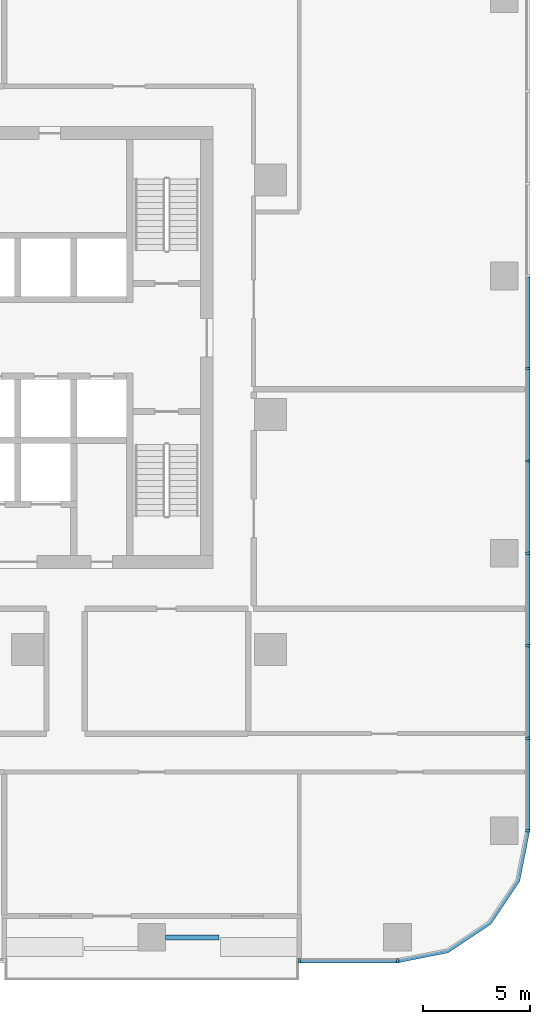
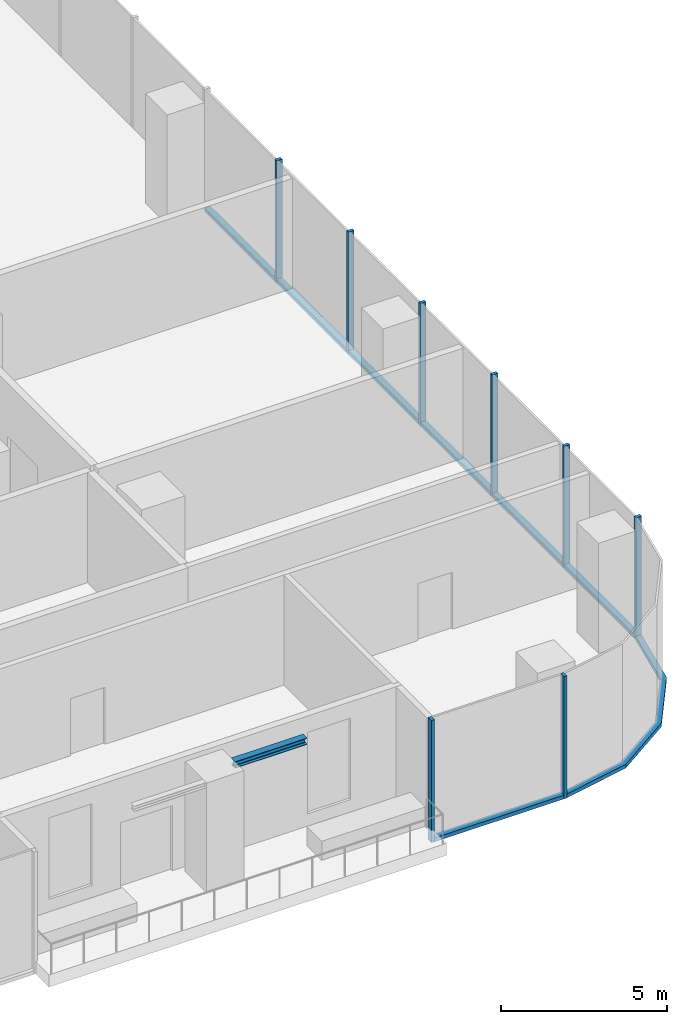
# One storey, part 3 of 15: 16 members, 1 beam, 3 elements without a shape of their own.
"""IFC4 building model written with IfcOpenShell, lengths in metres."""

from ifc_helpers import new_model, si_unit, direction, frame, origin, origin_2d, place, context, subcontext, project, spatial, polyline, rectangle, i_section, outline, extrude, material, material_profile, profile_set, type_object, element, aggregate, save


model = new_model("IFC4")

# Units and contexts
model_context = context("Model", 3, precision=1e-05, world=origin(), true_north=direction((0.0, 1.0)))
body_context = subcontext(model_context, "Body", "Model", "MODEL_VIEW")
ifc_project = project(units=[si_unit("LENGTHUNIT", "METRE"), si_unit("AREAUNIT", "SQUARE_METRE"), si_unit("VOLUMEUNIT", "CUBIC_METRE"), si_unit("PLANEANGLEUNIT", "RADIAN"), si_unit("MASSUNIT", "GRAM", prefix="KILO")], contexts=[model_context])

# Site, building, storey
site_placement = place(None, origin())
site = spatial("IfcSite", under=ifc_project, at=site_placement, CompositionType="ELEMENT")
building_placement = place(site_placement, origin())
building = spatial("IfcBuilding", under=site, at=building_placement, Name="Mopane Tessera Tower", CompositionType="ELEMENT")
storey_placement = place(building_placement, frame((0.0, 0.0, 112.60009765625)))
storey = spatial("IfcBuildingStorey", under=building, at=storey_placement, Name="L22", CompositionType="ELEMENT", Elevation=112.60009765625)

# Curtain wall, members
ifc_material_1 = material(Name="Aluminium frame", Category="aluminium")
curtain_wall_type = type_object("IfcCurtainWallType", Name="Lower tower unitised wall", PredefinedType="NOTDEFINED", material=ifc_material_1)
curtain_wall_1_placement = place(storey_placement, origin())
curtain_wall_1 = element("IfcCurtainWall", 1, at=curtain_wall_1_placement, inside=storey, type_object=curtain_wall_type, Name="e:cw:L22:S:9", PredefinedType="NOTDEFINED")
ifc_material_2 = material(Name="Aluminium frame", Category="aluminium")
ifc_material_profile_1 = material_profile(ifc_material_2, rectangle(XDim=0.110107421875, YDim=0.199951171875, at=origin_2d()))
ifc_profile_set_1 = profile_set([ifc_material_profile_1], Name="Aluminium frame")
member_type_1 = type_object("IfcMemberType", Name="Aluminium mullion 110 x 200", PredefinedType="MULLION", material=ifc_profile_set_1)
member_1_placement = place(storey_placement, frame((18.43994140625, -25.60009765625, -0.4501953125), z_axis=(0.0, 0.0, 1.0), x_axis=(1.0, 0.0, 0.0)))
member_1 = element("IfcMember", 2, at=member_1_placement, type_object=member_type_1, Name="e:cw:L22:S:9:mu9", PredefinedType="MULLION", context=body_context, shape_type="SweptSolid", body=[
    extrude(rectangle(XDim=0.110107421875, YDim=0.199951171875, at=origin_2d()), origin(), (0.0, 0.0, 1.0), 4.5),
])
member_2_placement = place(storey_placement, frame((23.050048828125, -25.60009765625, -0.4501953125), z_axis=(0.0, 0.0, 1.0), x_axis=(1.0, 0.0, 0.0)))
member_2 = element("IfcMember", 3, at=member_2_placement, type_object=member_type_1, Name="e:cw:L22:S:9:mu10", PredefinedType="MULLION", context=body_context, shape_type="SweptSolid", body=[
    extrude(rectangle(XDim=0.110107421875, YDim=0.199951171875, at=origin_2d()), origin(), (0.0, 0.0, 1.0), 4.5),
])

curtain_wall_2_placement = place(storey_placement, origin())
curtain_wall_2 = element("IfcCurtainWall", 4, at=curtain_wall_2_placement, inside=storey, type_object=curtain_wall_type, Name="e:cw:L22:E:0", PredefinedType="NOTDEFINED")
member_3_placement = place(storey_placement, frame((29.14990234375, -19.5, -0.4501953125), z_axis=(0.0, 0.0, 1.0), x_axis=(0.0, 1.0, 0.0)))
member_3 = element("IfcMember", 5, at=member_3_placement, type_object=member_type_1, Name="e:cw:L22:E:0:mu0", PredefinedType="MULLION", context=body_context, shape_type="SweptSolid", body=[
    extrude(rectangle(XDim=0.110107421875, YDim=0.199951171875, at=origin_2d()), origin(), (0.0, 0.0, 1.0), 4.5),
])
member_4_placement = place(storey_placement, frame((29.14990234375, -15.166748046875, -0.4501953125), z_axis=(0.0, 0.0, 1.0), x_axis=(0.0, 1.0, 0.0)))
member_4 = element("IfcMember", 6, at=member_4_placement, type_object=member_type_1, Name="e:cw:L22:E:0:mu1", PredefinedType="MULLION", context=body_context, shape_type="SweptSolid", body=[
    extrude(rectangle(XDim=0.110107421875, YDim=0.199951171875, at=origin_2d()), origin(), (0.0, 0.0, 1.0), 4.5),
])
member_5_placement = place(storey_placement, frame((29.14990234375, -10.833251953125, -0.4501953125), z_axis=(0.0, 0.0, 1.0), x_axis=(0.0, 1.0, 0.0)))
member_5 = element("IfcMember", 7, at=member_5_placement, type_object=member_type_1, Name="e:cw:L22:E:0:mu2", PredefinedType="MULLION", context=body_context, shape_type="SweptSolid", body=[
    extrude(rectangle(XDim=0.110107421875, YDim=0.199951171875, at=origin_2d()), origin(), (0.0, 0.0, 1.0), 4.5),
])
member_6_placement = place(storey_placement, frame((29.14990234375, -6.5, -0.4501953125), z_axis=(0.0, 0.0, 1.0), x_axis=(0.0, 1.0, 0.0)))
member_6 = element("IfcMember", 8, at=member_6_placement, type_object=member_type_1, Name="e:cw:L22:E:0:mu3", PredefinedType="MULLION", context=body_context, shape_type="SweptSolid", body=[
    extrude(rectangle(XDim=0.110107421875, YDim=0.199951171875, at=origin_2d()), origin(), (0.0, 0.0, 1.0), 4.5),
])
member_7_placement = place(storey_placement, frame((29.14990234375, -2.166748046875, -0.4501953125), z_axis=(0.0, 0.0, 1.0), x_axis=(0.0, 1.0, 0.0)))
member_7 = element("IfcMember", 9, at=member_7_placement, type_object=member_type_1, Name="e:cw:L22:E:0:mu4", PredefinedType="MULLION", context=body_context, shape_type="SweptSolid", body=[
    extrude(rectangle(XDim=0.110107421875, YDim=0.199951171875, at=origin_2d()), origin(), (0.0, 0.0, 1.0), 4.5),
])
member_8_placement = place(storey_placement, frame((29.14990234375, 2.166748046875, -0.4501953125), z_axis=(0.0, 0.0, 1.0), x_axis=(0.0, 1.0, 0.0)))
member_8 = element("IfcMember", 10, at=member_8_placement, type_object=member_type_1, Name="e:cw:L22:E:0:mu5", PredefinedType="MULLION", context=body_context, shape_type="SweptSolid", body=[
    extrude(rectangle(XDim=0.110107421875, YDim=0.199951171875, at=origin_2d()), origin(), (0.0, 0.0, 1.0), 4.5),
])

# Member
ifc_material_3 = material(Name="Aluminium frame", Category="aluminium")
ifc_material_profile_2 = material_profile(ifc_material_3, rectangle(XDim=0.199951171875, YDim=0.139892578125, at=origin_2d()))
ifc_profile_set_2 = profile_set([ifc_material_profile_2], Name="Aluminium frame")
member_type_2 = type_object("IfcMemberType", Name="Aluminium transom 200 x 140", PredefinedType="USERDEFINED", material=ifc_profile_set_2)
member_9_placement = place(storey_placement, frame((18.4951171875, -25.60009765625, -0.380126953125), z_axis=(1.0, 0.0, 0.0), x_axis=(0.0, 1.0, 0.0)))
member_9 = element("IfcMember", 11, at=member_9_placement, type_object=member_type_2, Name="e:cw:L22:S:9:tr9", ObjectType="TRANSOM", PredefinedType="USERDEFINED", context=body_context, shape_type="SweptSolid", body=[
    extrude(rectangle(XDim=0.199951171875, YDim=0.139892578125, at=origin_2d()), origin(), (0.0, 0.0, 1.0), 4.5),
])

aggregate(curtain_wall_1, [member_1, member_2, member_9])

# Curtain wall, member
curtain_wall_3_placement = place(storey_placement, origin())
curtain_wall_3 = element("IfcCurtainWall", 12, at=curtain_wall_3_placement, inside=storey, type_object=curtain_wall_type, Name="e:cw:L22:CS", PredefinedType="NOTDEFINED")
member_10_placement = place(storey_placement, frame((0.0, 0.0, -0.4501953125)))
member_10 = element("IfcMember", 13, at=member_10_placement, type_object=member_type_2, Name="e:cw:L22:CS:tr", ObjectType="TRANSOM", PredefinedType="USERDEFINED", context=body_context, shape_type="SweptSolid", body=[
    extrude(outline(polyline([(23.050048828125, -25.5), (25.34619140625, -25.043212890625), (27.292724609375, -23.74267578125), (28.59326171875, -21.796142578125), (29.050048828125, -19.5), (29.25, -19.5), (28.778076171875, -21.87255859375), (27.43408203125, -23.884033203125), (25.422607421875, -25.22802734375), (23.050048828125, -25.699951171875), (23.050048828125, -25.5)])), origin(), (0.0, 0.0, 1.0), 0.14013671875),
])
aggregate(curtain_wall_3, [member_10])

# Member
member_11_placement = place(storey_placement, frame((29.14990234375, -19.445068359375, -0.380126953125), z_axis=(0.0, 1.0, 0.0), x_axis=(-1.0, 0.0, 0.0)))
member_11 = element("IfcMember", 14, at=member_11_placement, type_object=member_type_2, Name="e:cw:L22:E:0:tr0", ObjectType="TRANSOM", PredefinedType="USERDEFINED", context=body_context, shape_type="SweptSolid", body=[
    extrude(rectangle(XDim=0.199951171875, YDim=0.139892578125, at=origin_2d()), origin(), (0.0, 0.0, 1.0), 4.223388671875),
])

member_12_placement = place(storey_placement, frame((29.14990234375, -15.111572265625, -0.380126953125), z_axis=(0.0, 1.0, 0.0), x_axis=(-1.0, 0.0, 0.0)))
member_12 = element("IfcMember", 15, at=member_12_placement, type_object=member_type_2, Name="e:cw:L22:E:0:tr1", ObjectType="TRANSOM", PredefinedType="USERDEFINED", context=body_context, shape_type="SweptSolid", body=[
    extrude(rectangle(XDim=0.199951171875, YDim=0.139892578125, at=origin_2d()), origin(), (0.0, 0.0, 1.0), 4.22314453125),
])

member_13_placement = place(storey_placement, frame((29.14990234375, -10.7783203125, -0.380126953125), z_axis=(0.0, 1.0, 0.0), x_axis=(-1.0, 0.0, 0.0)))
member_13 = element("IfcMember", 16, at=member_13_placement, type_object=member_type_2, Name="e:cw:L22:E:0:tr2", ObjectType="TRANSOM", PredefinedType="USERDEFINED", context=body_context, shape_type="SweptSolid", body=[
    extrude(rectangle(XDim=0.199951171875, YDim=0.139892578125, at=origin_2d()), origin(), (0.0, 0.0, 1.0), 4.223388671875),
])

member_14_placement = place(storey_placement, frame((29.14990234375, -6.445068359375, -0.380126953125), z_axis=(0.0, 1.0, 0.0), x_axis=(-1.0, 0.0, 0.0)))
member_14 = element("IfcMember", 17, at=member_14_placement, type_object=member_type_2, Name="e:cw:L22:E:0:tr3", ObjectType="TRANSOM", PredefinedType="USERDEFINED", context=body_context, shape_type="SweptSolid", body=[
    extrude(rectangle(XDim=0.199951171875, YDim=0.139892578125, at=origin_2d()), origin(), (0.0, 0.0, 1.0), 4.223388671875),
])

member_15_placement = place(storey_placement, frame((29.14990234375, -2.111572265625, -0.380126953125), z_axis=(0.0, 1.0, 0.0), x_axis=(-1.0, 0.0, 0.0)))
member_15 = element("IfcMember", 18, at=member_15_placement, type_object=member_type_2, Name="e:cw:L22:E:0:tr4", ObjectType="TRANSOM", PredefinedType="USERDEFINED", context=body_context, shape_type="SweptSolid", body=[
    extrude(rectangle(XDim=0.199951171875, YDim=0.139892578125, at=origin_2d()), origin(), (0.0, 0.0, 1.0), 4.22314453125),
])

member_16_placement = place(storey_placement, frame((29.14990234375, 2.2216796875, -0.380126953125), z_axis=(0.0, 1.0, 0.0), x_axis=(-1.0, 0.0, 0.0)))
member_16 = element("IfcMember", 19, at=member_16_placement, type_object=member_type_2, Name="e:cw:L22:E:0:tr5", ObjectType="TRANSOM", PredefinedType="USERDEFINED", context=body_context, shape_type="SweptSolid", body=[
    extrude(rectangle(XDim=0.199951171875, YDim=0.139892578125, at=origin_2d()), origin(), (0.0, 0.0, 1.0), 4.223388671875),
])

aggregate(curtain_wall_2, [member_3, member_4, member_5, member_6, member_7, member_8, member_11, member_12, member_13, member_14, member_15, member_16])

# Beam
ifc_material_4 = material(Name="Structural steel S460", Category="steel")
ifc_material_profile_3 = material_profile(ifc_material_4, i_section(OverallWidth=0.239990234375, OverallDepth=0.239990234375, WebThickness=0.010009765625, FlangeThickness=0.01708984375, FilletRadius=0.02099609375, at=origin_2d()))
ifc_profile_set_3 = profile_set([ifc_material_profile_3], Name="Structural steel S460")
beam_type = type_object("IfcBeamType", Name="Terrace spandrel beam HE 240 B", PredefinedType="SPANDREL", material=ifc_profile_set_3)
beam_placement = place(storey_placement, frame((12.177978515625, -24.5, 3.929931640625), z_axis=(1.0, 0.0, 0.0), x_axis=(0.0, 1.0, 0.0)))
element("IfcBeam", 20, at=beam_placement, inside=storey, type_object=beam_type, Name="Terrace spandrel beam N3 L23", PredefinedType="SPANDREL", context=body_context, shape_type="SweptSolid", body=[
    extrude(i_section(OverallWidth=0.239990234375, OverallDepth=0.239990234375, WebThickness=0.010009765625, FlangeThickness=0.01708984375, FilletRadius=0.02099609375, at=origin_2d()), origin(), (0.0, 0.0, 1.0), 2.5),
])

save(model, "model.ifc")
